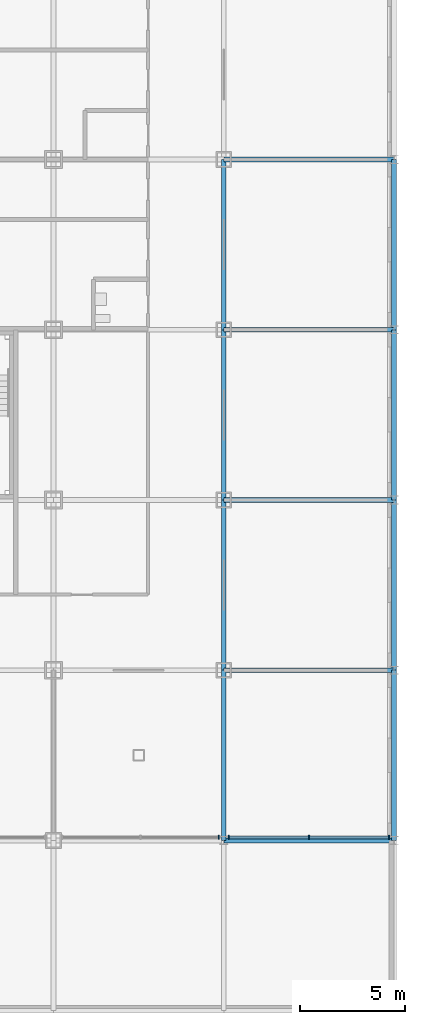
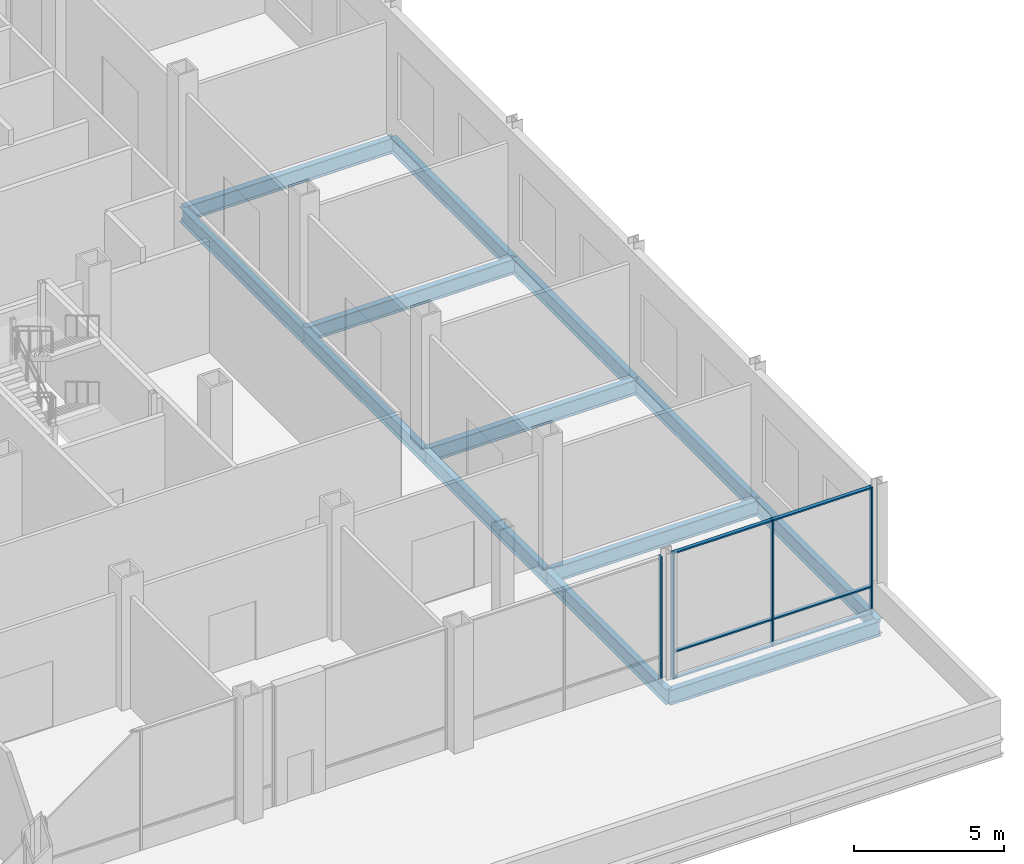
# One storey, part 17 of 29: 13 beams, 10 members, 2 elements without a shape of their own.
"""IFC4 building model written with IfcOpenShell, lengths in metres."""

from ifc_helpers import new_model, si_unit, direction, frame, origin, origin_2d, place, context, subcontext, project, spatial, rectangle, i_section, extrude, material, material_profile, profile_set, type_object, element, aggregate, save


model = new_model("IFC4")

# Units and contexts
model_context = context("Model", 3, precision=1e-05, world=origin(), true_north=direction((0.0, 1.0)))
body_context = subcontext(model_context, "Body", "Model", "MODEL_VIEW")
ifc_project = project(units=[si_unit("LENGTHUNIT", "METRE"), si_unit("AREAUNIT", "SQUARE_METRE"), si_unit("VOLUMEUNIT", "CUBIC_METRE"), si_unit("PLANEANGLEUNIT", "RADIAN"), si_unit("MASSUNIT", "GRAM", prefix="KILO")], contexts=[model_context])

# Site, building, storey
site_placement = place(None, origin())
site = spatial("IfcSite", under=ifc_project, at=site_placement, CompositionType="ELEMENT")
building_placement = place(site_placement, origin())
building = spatial("IfcBuilding", under=site, at=building_placement, Name="Kopane Lantern Tower", CompositionType="ELEMENT")
storey_placement = place(building_placement, frame((0.0, 0.0, 11.39990234375)))
storey = spatial("IfcBuildingStorey", under=building, at=storey_placement, Name="L02", CompositionType="ELEMENT", Elevation=11.39990234375)

# Beams
ifc_material_1 = material(Name="Steel S355JR", Category="steel")
ifc_material_profile_1 = material_profile(ifc_material_1, i_section(OverallWidth=0.22900390625, OverallDepth=0.6123046875, WebThickness=0.011962890625, FlangeThickness=0.01953125, FilletRadius=0.0126953125, at=origin_2d()), Name="UB 610x229x125")
ifc_profile_set_1 = profile_set([ifc_material_profile_1], Name="Steel S355JR")
beam_type = type_object("IfcBeamType", Name="GIRDER UB 610x229x125", PredefinedType="BEAM", material=ifc_profile_set_1)
for number, where, z_axis, x_axis, name in (
    (1, (56.699951171875, 0.0, -0.555908203125), (0.0, 1.0, 0.0), (-1.0, 0.0, 0.0), "Girder L02"),
    (2, (56.699951171875, 0.0, -0.555908203125), (1.0, 0.0, 0.0), (0.0, 1.0, 0.0), "Girder L02"),
):
    element("IfcBeam", number, at=place(storey_placement, frame(where, z_axis=z_axis, x_axis=x_axis)), inside=storey, type_object=beam_type, Name=name, PredefinedType="BEAM", context=body_context, shape_type="SweptSolid", body=[
        extrude(i_section(OverallWidth=0.22900390625, OverallDepth=0.6123046875, WebThickness=0.011962890625, FlangeThickness=0.01953125, FilletRadius=0.0126953125, at=origin_2d()), origin(), (0.0, 0.0, 1.0), 8.10009765625),
    ])
beam_1_placement = place(storey_placement, frame((56.699951171875, 8.10009765625, -0.555908203125), z_axis=(0.0, 1.0, 0.0), x_axis=(-1.0, 0.0, 0.0)))
element("IfcBeam", 3, at=beam_1_placement, inside=storey, type_object=beam_type, Name="Girder L02", PredefinedType="BEAM", context=body_context, shape_type="SweptSolid", body=[
    extrude(i_section(OverallWidth=0.22900390625, OverallDepth=0.6123046875, WebThickness=0.011962890625, FlangeThickness=0.01953125, FilletRadius=0.0126953125, at=origin_2d()), origin(), (0.0, 0.0, 1.0), 8.099853515625),
])
for number, where, z_axis, x_axis, name in (
    (4, (56.699951171875, 8.10009765625, -0.555908203125), (1.0, 0.0, 0.0), (0.0, 1.0, 0.0), "Girder L02"),
    (5, (56.699951171875, 16.199951171875, -0.555908203125), (0.0, 1.0, 0.0), (-1.0, 0.0, 0.0), "Girder L02"),
    (6, (56.699951171875, 16.199951171875, -0.555908203125), (1.0, 0.0, 0.0), (0.0, 1.0, 0.0), "Girder L02"),
):
    element("IfcBeam", number, at=place(storey_placement, frame(where, z_axis=z_axis, x_axis=x_axis)), inside=storey, type_object=beam_type, Name=name, PredefinedType="BEAM", context=body_context, shape_type="SweptSolid", body=[
        extrude(i_section(OverallWidth=0.22900390625, OverallDepth=0.6123046875, WebThickness=0.011962890625, FlangeThickness=0.01953125, FilletRadius=0.0126953125, at=origin_2d()), origin(), (0.0, 0.0, 1.0), 8.10009765625),
    ])
beam_2_placement = place(storey_placement, frame((56.699951171875, 24.300048828125, -0.555908203125), z_axis=(0.0, 1.0, 0.0), x_axis=(-1.0, 0.0, 0.0)))
element("IfcBeam", 7, at=beam_2_placement, inside=storey, type_object=beam_type, Name="Girder L02", PredefinedType="BEAM", context=body_context, shape_type="SweptSolid", body=[
    extrude(i_section(OverallWidth=0.22900390625, OverallDepth=0.6123046875, WebThickness=0.011962890625, FlangeThickness=0.01953125, FilletRadius=0.0126953125, at=origin_2d()), origin(), (0.0, 0.0, 1.0), 8.099853515625),
])
for number, where, z_axis, x_axis, name in (
    (8, (56.699951171875, 24.300048828125, -0.555908203125), (1.0, 0.0, 0.0), (0.0, 1.0, 0.0), "Girder L02"),
    (9, (56.699951171875, 32.39990234375, -0.555908203125), (1.0, 0.0, 0.0), (0.0, 1.0, 0.0), "Girder L02"),
    (10, (64.800048828125, 0.0, -0.555908203125), (0.0, 1.0, 0.0), (-1.0, 0.0, 0.0), "Girder L02"),
):
    element("IfcBeam", number, at=place(storey_placement, frame(where, z_axis=z_axis, x_axis=x_axis)), inside=storey, type_object=beam_type, Name=name, PredefinedType="BEAM", context=body_context, shape_type="SweptSolid", body=[
        extrude(i_section(OverallWidth=0.22900390625, OverallDepth=0.6123046875, WebThickness=0.011962890625, FlangeThickness=0.01953125, FilletRadius=0.0126953125, at=origin_2d()), origin(), (0.0, 0.0, 1.0), 8.10009765625),
    ])
beam_3_placement = place(storey_placement, frame((64.800048828125, 8.10009765625, -0.555908203125), z_axis=(0.0, 1.0, 0.0), x_axis=(-1.0, 0.0, 0.0)))
element("IfcBeam", 11, at=beam_3_placement, inside=storey, type_object=beam_type, Name="Girder L02", PredefinedType="BEAM", context=body_context, shape_type="SweptSolid", body=[
    extrude(i_section(OverallWidth=0.22900390625, OverallDepth=0.6123046875, WebThickness=0.011962890625, FlangeThickness=0.01953125, FilletRadius=0.0126953125, at=origin_2d()), origin(), (0.0, 0.0, 1.0), 8.099853515625),
])
beam_4_placement = place(storey_placement, frame((64.800048828125, 16.199951171875, -0.555908203125), z_axis=(0.0, 1.0, 0.0), x_axis=(-1.0, 0.0, 0.0)))
element("IfcBeam", 12, at=beam_4_placement, inside=storey, type_object=beam_type, Name="Girder L02", PredefinedType="BEAM", context=body_context, shape_type="SweptSolid", body=[
    extrude(i_section(OverallWidth=0.22900390625, OverallDepth=0.6123046875, WebThickness=0.011962890625, FlangeThickness=0.01953125, FilletRadius=0.0126953125, at=origin_2d()), origin(), (0.0, 0.0, 1.0), 8.10009765625),
])
beam_5_placement = place(storey_placement, frame((64.800048828125, 24.300048828125, -0.555908203125), z_axis=(0.0, 1.0, 0.0), x_axis=(-1.0, 0.0, 0.0)))
element("IfcBeam", 13, at=beam_5_placement, inside=storey, type_object=beam_type, Name="Girder L02", PredefinedType="BEAM", context=body_context, shape_type="SweptSolid", body=[
    extrude(i_section(OverallWidth=0.22900390625, OverallDepth=0.6123046875, WebThickness=0.011962890625, FlangeThickness=0.01953125, FilletRadius=0.0126953125, at=origin_2d()), origin(), (0.0, 0.0, 1.0), 8.099853515625),
])

# Curtain wall, member
ifc_material_2 = material(Name="Aluminium and clear glass", Category="aluminium")
curtain_wall_type = type_object("IfcCurtainWallType", Name="CURTAIN WALL CW2 PODIUM UPPER", PredefinedType="USERDEFINED", material=ifc_material_2)
curtain_wall_1_placement = place(storey_placement, origin())
curtain_wall_1 = element("IfcCurtainWall", 14, at=curtain_wall_1_placement, inside=storey, type_object=curtain_wall_type, Name="Curtain wall CW2 S L02", ObjectType="CURTAIN WALL", PredefinedType="USERDEFINED")
ifc_material_3 = material(Name="Aluminium", Category="aluminium")
ifc_material_profile_2 = material_profile(ifc_material_3, rectangle(XDim=0.06005859375, YDim=0.179931640625, at=origin_2d()), Name="AL 60x180")
ifc_profile_set_2 = profile_set([ifc_material_profile_2], Name="Aluminium")
member_type_1 = type_object("IfcMemberType", Name="MULLION CW2-M 60x180", PredefinedType="MULLION", material=ifc_profile_set_2)
member_1_placement = place(storey_placement, frame((56.46337890625, 0.14990234375, 0.0), z_axis=(0.0, 0.0, 1.0), x_axis=(1.0, 0.0, 0.0)))
member_1 = element("IfcMember", 15, at=member_1_placement, type_object=member_type_1, Name="CW2 mullion 3", PredefinedType="MULLION", context=body_context, shape_type="SweptSolid", body=[
    extrude(rectangle(XDim=0.06005859375, YDim=0.179931640625, at=origin_2d()), origin(), (0.0, 0.0, 1.0), 5.150146484375),
])
aggregate(curtain_wall_1, [member_1])

# Curtain wall, members
curtain_wall_2_placement = place(storey_placement, origin())
curtain_wall_2 = element("IfcCurtainWall", 16, at=curtain_wall_2_placement, inside=storey, type_object=curtain_wall_type, Name="Curtain wall CW2 S L02", ObjectType="CURTAIN WALL", PredefinedType="USERDEFINED")
member_2_placement = place(storey_placement, frame((56.9365234375, 0.14990234375, 0.0), z_axis=(0.0, 0.0, 1.0), x_axis=(1.0, 0.0, 0.0)))
member_2 = element("IfcMember", 17, at=member_2_placement, type_object=member_type_1, Name="CW2 mullion 1", PredefinedType="MULLION", context=body_context, shape_type="SweptSolid", body=[
    extrude(rectangle(XDim=0.06005859375, YDim=0.179931640625, at=origin_2d()), origin(), (0.0, 0.0, 1.0), 5.150146484375),
])
member_3_placement = place(storey_placement, frame((60.75, 0.14990234375, 0.0), z_axis=(0.0, 0.0, 1.0), x_axis=(1.0, 0.0, 0.0)))
member_3 = element("IfcMember", 18, at=member_3_placement, type_object=member_type_1, Name="CW2 mullion 2", PredefinedType="MULLION", context=body_context, shape_type="SweptSolid", body=[
    extrude(rectangle(XDim=0.06005859375, YDim=0.179931640625, at=origin_2d()), origin(), (0.0, 0.0, 1.0), 5.150146484375),
])
member_4_placement = place(storey_placement, frame((64.5634765625, 0.14990234375, 0.0), z_axis=(0.0, 0.0, 1.0), x_axis=(1.0, 0.0, 0.0)))
member_4 = element("IfcMember", 19, at=member_4_placement, type_object=member_type_1, Name="CW2 mullion 3", PredefinedType="MULLION", context=body_context, shape_type="SweptSolid", body=[
    extrude(rectangle(XDim=0.06005859375, YDim=0.179931640625, at=origin_2d()), origin(), (0.0, 0.0, 1.0), 5.150146484375),
])
ifc_material_4 = material(Name="Aluminium", Category="aluminium")
ifc_material_profile_3 = material_profile(ifc_material_4, rectangle(XDim=0.139892578125, YDim=0.06005859375, at=origin_2d()), Name="AL 140x60")
ifc_profile_set_3 = profile_set([ifc_material_profile_3], Name="Aluminium")
member_type_2 = type_object("IfcMemberType", Name="TRANSOM CW2-T 60x140", PredefinedType="USERDEFINED", material=ifc_profile_set_3)
member_5_placement = place(storey_placement, frame((56.966552734375, 0.14990234375, 0.030029296875), z_axis=(1.0, 0.0, 0.0), x_axis=(0.0, 1.0, 0.0)))
member_5 = element("IfcMember", 20, at=member_5_placement, type_object=member_type_2, Name="CW2 transom 1.1", ObjectType="TRANSOM", PredefinedType="USERDEFINED", context=body_context, shape_type="SweptSolid", body=[
    extrude(rectangle(XDim=0.139892578125, YDim=0.06005859375, at=origin_2d()), origin(), (0.0, 0.0, 1.0), 3.75341796875),
])
member_6_placement = place(storey_placement, frame((56.966552734375, 0.14990234375, 1.10009765625), z_axis=(1.0, 0.0, 0.0), x_axis=(0.0, 1.0, 0.0)))
member_6 = element("IfcMember", 21, at=member_6_placement, type_object=member_type_2, Name="CW2 transom 1.2", ObjectType="TRANSOM", PredefinedType="USERDEFINED", context=body_context, shape_type="SweptSolid", body=[
    extrude(rectangle(XDim=0.139892578125, YDim=0.06005859375, at=origin_2d()), origin(), (0.0, 0.0, 1.0), 3.75341796875),
])
member_7_placement = place(storey_placement, frame((56.966552734375, 0.14990234375, 5.1201171875), z_axis=(1.0, 0.0, 0.0), x_axis=(0.0, 1.0, 0.0)))
member_7 = element("IfcMember", 22, at=member_7_placement, type_object=member_type_2, Name="CW2 transom 1.3", ObjectType="TRANSOM", PredefinedType="USERDEFINED", context=body_context, shape_type="SweptSolid", body=[
    extrude(rectangle(XDim=0.139892578125, YDim=0.06005859375, at=origin_2d()), origin(), (0.0, 0.0, 1.0), 3.75341796875),
])
member_8_placement = place(storey_placement, frame((60.780029296875, 0.14990234375, 0.030029296875), z_axis=(1.0, 0.0, 0.0), x_axis=(0.0, 1.0, 0.0)))
member_8 = element("IfcMember", 23, at=member_8_placement, type_object=member_type_2, Name="CW2 transom 2.1", ObjectType="TRANSOM", PredefinedType="USERDEFINED", context=body_context, shape_type="SweptSolid", body=[
    extrude(rectangle(XDim=0.139892578125, YDim=0.06005859375, at=origin_2d()), origin(), (0.0, 0.0, 1.0), 3.75341796875),
])
member_9_placement = place(storey_placement, frame((60.780029296875, 0.14990234375, 1.10009765625), z_axis=(1.0, 0.0, 0.0), x_axis=(0.0, 1.0, 0.0)))
member_9 = element("IfcMember", 24, at=member_9_placement, type_object=member_type_2, Name="CW2 transom 2.2", ObjectType="TRANSOM", PredefinedType="USERDEFINED", context=body_context, shape_type="SweptSolid", body=[
    extrude(rectangle(XDim=0.139892578125, YDim=0.06005859375, at=origin_2d()), origin(), (0.0, 0.0, 1.0), 3.75341796875),
])
member_10_placement = place(storey_placement, frame((60.780029296875, 0.14990234375, 5.1201171875), z_axis=(1.0, 0.0, 0.0), x_axis=(0.0, 1.0, 0.0)))
member_10 = element("IfcMember", 25, at=member_10_placement, type_object=member_type_2, Name="CW2 transom 2.3", ObjectType="TRANSOM", PredefinedType="USERDEFINED", context=body_context, shape_type="SweptSolid", body=[
    extrude(rectangle(XDim=0.139892578125, YDim=0.06005859375, at=origin_2d()), origin(), (0.0, 0.0, 1.0), 3.75341796875),
])
aggregate(curtain_wall_2, [member_2, member_3, member_4, member_5, member_6, member_7, member_8, member_9, member_10])

save(model, "model.ifc")
